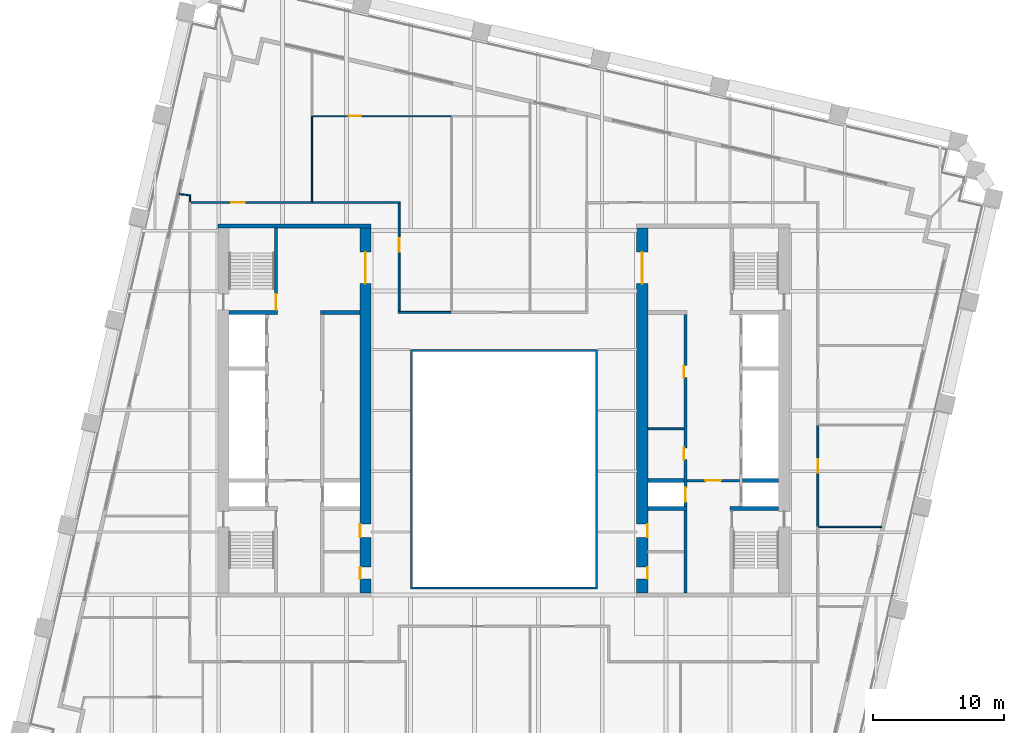
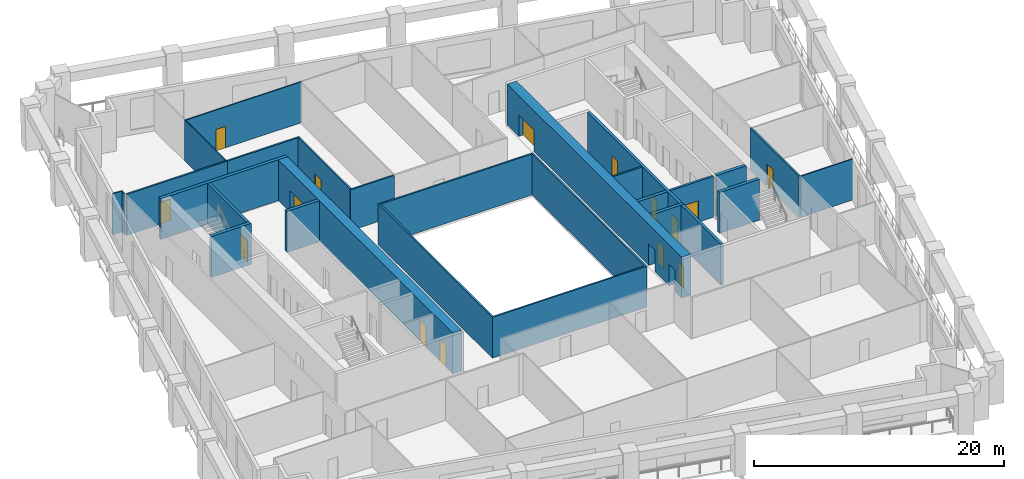
# One storey, part 6 of 10: 24 walls, 15 doors, 15 openings.
"""IFC4 building model written with IfcOpenShell, lengths in metres."""

from ifc_helpers import new_model, si_unit, direction, frame, frame_2d, origin, place, context, subcontext, project, spatial, polyline, rectangle, outline, extrude, material, layer, layer_set, type_object, element, fill, save


model = new_model("IFC4")

# Units and contexts
model_context = context("Model", 3, precision=1e-05, world=origin(), true_north=direction((0.0, 1.0)))
body_context = subcontext(model_context, "Body", "Model", "MODEL_VIEW")
ifc_project = project(units=[si_unit("LENGTHUNIT", "METRE"), si_unit("AREAUNIT", "SQUARE_METRE"), si_unit("VOLUMEUNIT", "CUBIC_METRE"), si_unit("PLANEANGLEUNIT", "RADIAN"), si_unit("MASSUNIT", "GRAM", prefix="KILO")], contexts=[model_context])

# Site, building, storey
site_placement = place(None, origin())
site = spatial("IfcSite", under=ifc_project, at=site_placement, CompositionType="ELEMENT")
building_placement = place(site_placement, origin())
building = spatial("IfcBuilding", under=site, at=building_placement, Name="Ogive Exchange Tower", CompositionType="ELEMENT")
storey_placement = place(building_placement, frame((0.0, 0.0, 118.199951171875)))
storey = spatial("IfcBuildingStorey", under=building, at=storey_placement, Name="L25", CompositionType="ELEMENT", Elevation=118.199951171875)

# Walls
ifc_material_1 = material(Name="Gypsum board partition")
ifc_layer_1 = layer(ifc_material_1, 0.14990234375)
ifc_layer_set_1 = layer_set([ifc_layer_1], Name="Core room partition 150 gypsum")
wall_type_1 = type_object("IfcWallType", Name="Core room partition 150 gypsum", PredefinedType="PARTITIONING", material=ifc_layer_set_1)
wall_1_placement = place(storey_placement, frame((11.0, 10.10009765625, 0.0), z_axis=(0.0, 0.0, 1.0), x_axis=(1.0, 0.0, 0.0)))
element("IfcWall", 1, at=wall_1_placement, inside=storey, type_object=wall_type_1, Name="E row B bay partition 1-1", PredefinedType="PARTITIONING", context=body_context, shape_type="SweptSolid", body=[
    extrude(rectangle(XDim=2.75, YDim=0.14990234375, at=frame_2d((1.375, 0.0))), origin(), (0.0, 0.0, 1.0), 4.0),
])
ifc_layer_2 = layer(ifc_material_1, 0.300048828125)
ifc_layer_set_2 = layer_set([ifc_layer_2], Name="Core room partition 300 gypsum")
wall_type_2 = type_object("IfcWallType", Name="Core room partition 300 gypsum", PredefinedType="PARTITIONING", material=ifc_layer_set_2)
wall_2_placement = place(storey_placement, frame((-14.0, 19.0, 0.0), z_axis=(0.0, 0.0, 1.0), x_axis=(1.0, 0.0, 0.0)))
element("IfcWall", 2, at=wall_2_placement, inside=storey, type_object=wall_type_2, Name="W row B room end wall 7", PredefinedType="PARTITIONING", context=body_context, shape_type="SweptSolid", body=[
    extrude(rectangle(XDim=3.0, YDim=0.300048828125, at=frame_2d((1.5, 0.0))), origin(), (0.0, 0.0, 1.0), 4.0),
])

# Wall, opening, door
ifc_material_2 = material(Name="Fire partition EI 60 150")
ifc_layer_3 = layer(ifc_material_2, 0.14990234375)
ifc_layer_set_3 = layer_set([ifc_layer_3], Name="Fire partition EI 60 150")
wall_type_3 = type_object("IfcWallType", Name="Fire partition EI 60 150", PredefinedType="PARTITIONING", material=ifc_layer_set_3)
wall_3_placement = place(storey_placement, frame((-23.9150390625, 27.39990234375, 0.0), z_axis=(0.0, 0.0, 1.0), x_axis=(1.0, 0.0, 0.0)))
wall_3 = element("IfcWall", 3, at=wall_3_placement, inside=storey, type_object=wall_type_3, Name="L25-PWL-009", PredefinedType="PARTITIONING", context=body_context, shape_type="SweptSolid", body=[
    extrude(rectangle(XDim=9.294921875, YDim=0.14990234375, at=frame_2d((4.6474609375, 0.0))), origin(), (0.0, 0.0, 1.0), 4.0),
])
opening_1_placement = place(wall_3_placement, frame((3.094970703125, 0.0, 0.0)))
opening_1 = element("IfcOpeningElement", 4, at=opening_1_placement, cuts=wall_3, Name="Opening L25-I18", PredefinedType="OPENING", context=body_context, shape_type="SweptSolid", body=[
    extrude(rectangle(XDim=1.0, YDim=2.10009765625, at=frame_2d((0.5, 1.050048828125))), frame((0.0, 0.0849609375, 0.0), z_axis=(0.0, -1.0, 0.0), x_axis=(1.0, 0.0, 0.0)), (0.0, 0.0, 1.0), 0.169921875),
])
ifc_material_3 = material(Name="Fire door FD 30S 1000 x 2100")
door_type_1 = type_object("IfcDoorType", Name="Fire door FD 30S 1000 x 2100", OperationType="NOTDEFINED", PredefinedType="DOOR", material=ifc_material_3)
door_1_placement = place(opening_1_placement, origin())
door_1 = element("IfcDoor", 5, at=door_1_placement, inside=storey, type_object=door_type_1, Name="L25-IDR-018", ObjectType="DT3", OperationType="SINGLE_SWING_RIGHT", OverallHeight=2.10009765625, OverallWidth=1.0, PredefinedType="DOOR", context=body_context, shape_type="SweptSolid", body=[
    extrude(rectangle(XDim=1.0, YDim=2.10009765625, at=frame_2d((0.5, 1.050048828125))), frame((0.0, 0.02490234375, 0.0), z_axis=(0.0, -1.0, 0.0), x_axis=(1.0, 0.0, 0.0)), (0.0, 0.0, 1.0), 0.050048828125),
])
fill(opening_1, door_1)

# Walls
wall_4_placement = place(storey_placement, frame((-14.6201171875, 27.39990234375, 0.0), z_axis=(0.0, 0.0, 1.0), x_axis=(1.0, 0.0, 0.0)))
element("IfcWall", 6, at=wall_4_placement, inside=storey, type_object=wall_type_3, Name="L25-PWL-019", PredefinedType="PARTITIONING", context=body_context, shape_type="SweptSolid", body=[
    extrude(rectangle(XDim=6.695068359375, YDim=0.14990234375, at=frame_2d((3.34765625, 0.0))), origin(), (0.0, 0.0, 1.0), 4.0),
])
wall_5_placement = place(storey_placement, frame((-8.074951171875, 19.0, 0.0), z_axis=(0.0, 0.0, 1.0), x_axis=(1.0, 0.0, 0.0)))
element("IfcWall", 7, at=wall_5_placement, inside=storey, type_object=wall_type_3, Name="L25-PWL-022", PredefinedType="PARTITIONING", context=body_context, shape_type="SweptSolid", body=[
    extrude(rectangle(XDim=4.02490234375, YDim=0.14990234375, at=frame_2d((2.012451171875, 0.0))), origin(), (0.0, 0.0, 1.0), 4.0),
])

# Wall, opening, door
wall_6_placement = place(storey_placement, frame((-8.0, 27.324951171875, 0.0), z_axis=(0.0, 0.0, 1.0), x_axis=(0.0, -1.0, 0.0)))
wall_6 = element("IfcWall", 8, at=wall_6_placement, inside=storey, type_object=wall_type_3, Name="L25-PWL-023", PredefinedType="PARTITIONING", context=body_context, shape_type="SweptSolid", body=[
    extrude(rectangle(XDim=8.25, YDim=0.14990234375, at=frame_2d((4.125, 0.0))), origin(), (0.0, 0.0, 1.0), 4.0),
])
opening_2_placement = place(wall_6_placement, frame((2.675048828125, 0.0, 0.0)))
opening_2 = element("IfcOpeningElement", 9, at=opening_2_placement, cuts=wall_6, Name="Opening L25-I10", PredefinedType="OPENING", context=body_context, shape_type="SweptSolid", body=[
    extrude(rectangle(XDim=1.0, YDim=2.10009765625, at=frame_2d((0.5, 1.050048828125))), frame((0.0, 0.0849609375, 0.0), z_axis=(0.0, -1.0, 0.0), x_axis=(1.0, 0.0, 0.0)), (0.0, 0.0, 1.0), 0.169921875),
])
door_2_placement = place(opening_2_placement, origin())
door_2 = element("IfcDoor", 10, at=door_2_placement, inside=storey, type_object=door_type_1, Name="L25-IDR-010", ObjectType="DT3", OperationType="SINGLE_SWING_LEFT", OverallHeight=2.10009765625, OverallWidth=1.0, PredefinedType="DOOR", context=body_context, shape_type="SweptSolid", body=[
    extrude(rectangle(XDim=1.0, YDim=2.10009765625, at=frame_2d((0.5, 1.050048828125))), frame((0.0, 0.02490234375, 0.0), z_axis=(0.0, -1.0, 0.0), x_axis=(1.0, 0.0, 0.0)), (0.0, 0.0, 1.0), 0.050048828125),
])
fill(opening_2, door_2)

wall_7_placement = place(storey_placement, frame((24.0, 10.43994140625, 0.0), z_axis=(0.0, 0.0, 1.0), x_axis=(0.0, -1.0, 0.0)))
wall_7 = element("IfcWall", 11, at=wall_7_placement, inside=storey, type_object=wall_type_3, Name="L25-PWL-061", PredefinedType="PARTITIONING", context=body_context, shape_type="SweptSolid", body=[
    extrude(rectangle(XDim=7.829833984375, YDim=0.14990234375, at=frame_2d((3.9150390625, 0.0))), origin(), (0.0, 0.0, 1.0), 4.0),
])
opening_3_placement = place(wall_7_placement, frame((2.679931640625, 0.0, 0.0)))
opening_3 = element("IfcOpeningElement", 12, at=opening_3_placement, cuts=wall_7, Name="Opening L25-I13", PredefinedType="OPENING", context=body_context, shape_type="SweptSolid", body=[
    extrude(rectangle(XDim=1.0, YDim=2.10009765625, at=frame_2d((0.5, 1.050048828125))), frame((0.0, 0.0849609375, 0.0), z_axis=(0.0, -1.0, 0.0), x_axis=(1.0, 0.0, 0.0)), (0.0, 0.0, 1.0), 0.169921875),
])
door_3_placement = place(opening_3_placement, origin())
door_3 = element("IfcDoor", 13, at=door_3_placement, inside=storey, type_object=door_type_1, Name="L25-IDR-013", ObjectType="DT3", OperationType="SINGLE_SWING_RIGHT", OverallHeight=2.10009765625, OverallWidth=1.0, PredefinedType="DOOR", context=body_context, shape_type="SweptSolid", body=[
    extrude(rectangle(XDim=1.0, YDim=2.10009765625, at=frame_2d((0.5, 1.050048828125))), frame((0.0, 0.02490234375, 0.0), z_axis=(0.0, -1.0, 0.0), x_axis=(1.0, 0.0, 0.0)), (0.0, 0.0, 1.0), 0.050048828125),
])
fill(opening_3, door_3)

# Walls
ifc_material_4 = material(Name="Fire-resisting glass in steel frame", Category="steel")
ifc_layer_4 = layer(ifc_material_4, 0.14990234375)
ifc_layer_set_4 = layer_set([ifc_layer_4], Name="Fire-rated glazed wall 150")
wall_type_4 = type_object("IfcWallType", Name="Fire-rated glazed wall 150", PredefinedType="STANDARD", material=ifc_layer_set_4)
wall_8_placement = place(storey_placement, origin())
element("IfcWall", 14, at=wall_8_placement, inside=storey, type_object=wall_type_4, Name="Nave enclosure wall", PredefinedType="STANDARD", context=body_context, shape_type="SweptSolid", body=[
    extrude(outline(polyline([(-7.14990234375, -2.14990234375), (7.14990234375, -2.14990234375), (7.14990234375, 16.14990234375), (-7.14990234375, 16.14990234375), (-7.14990234375, -2.14990234375)]), holes=[polyline([(-7.0, -2.0), (-7.0, 16.0), (7.0, 16.0), (7.0, -2.0), (-7.0, -2.0)])]), origin(), (0.0, 0.0, 1.0), 4.0),
])
ifc_material_5 = material(Name="Partition 100 gypsum")
ifc_layer_5 = layer(ifc_material_5, 0.10009765625)
ifc_layer_set_5 = layer_set([ifc_layer_5], Name="Partition 100 gypsum")
wall_type_5 = type_object("IfcWallType", Name="Partition 100 gypsum", PredefinedType="PARTITIONING", material=ifc_layer_set_5)
wall_9_placement = place(storey_placement, frame((-24.820068359375, 28.044921875, 0.0), z_axis=(0.0, 0.0, 1.0), x_axis=(0.993501545499, -0.113818623659, 0.0)))
element("IfcWall", 15, at=wall_9_placement, inside=storey, type_object=wall_type_5, Name="L25-PWL-002", PredefinedType="PARTITIONING", context=body_context, shape_type="SweptSolid", body=[
    extrude(rectangle(XDim=0.885986328125, YDim=0.10009765625, at=frame_2d((0.44287109375, 0.0))), origin(), (0.0, 0.0, 1.0), 4.0),
])
wall_10_placement = place(storey_placement, frame((-23.989990234375, 27.47509765625, 0.0), z_axis=(0.0, 0.0, 1.0), x_axis=(0.0, 1.0, 0.0)))
element("IfcWall", 16, at=wall_10_placement, inside=storey, type_object=wall_type_5, Name="L25-PWL-008", PredefinedType="PARTITIONING", context=body_context, shape_type="SweptSolid", body=[
    extrude(rectangle(XDim=0.4248046875, YDim=0.10009765625, at=frame_2d((0.21240234375, 0.0))), origin(), (0.0, 0.0, 1.0), 4.0),
])
wall_11_placement = place(storey_placement, frame((-14.669921875, 27.47509765625, 0.0), z_axis=(0.0, 0.0, 1.0), x_axis=(0.0, 1.0, 0.0)))
element("IfcWall", 17, at=wall_11_placement, inside=storey, type_object=wall_type_5, Name="L25-PWL-018", PredefinedType="PARTITIONING", context=body_context, shape_type="SweptSolid", body=[
    extrude(rectangle(XDim=6.574951171875, YDim=0.10009765625, at=frame_2d((3.28759765625, 0.0))), origin(), (0.0, 0.0, 1.0), 4.0),
])

# Wall, opening, door
wall_12_placement = place(storey_placement, frame((-3.949951171875, 34.0, 0.0), z_axis=(0.0, 0.0, 1.0), x_axis=(-1.0, 0.0, 0.0)))
wall_12 = element("IfcWall", 18, at=wall_12_placement, inside=storey, type_object=wall_type_5, Name="L25-PWL-029", PredefinedType="PARTITIONING", context=body_context, shape_type="SweptSolid", body=[
    extrude(rectangle(XDim=10.670166015625, YDim=0.10009765625, at=frame_2d((5.3349609375, 0.0))), origin(), (0.0, 0.0, 1.0), 4.0),
])
opening_4_placement = place(wall_12_placement, frame((7.0, 0.0, 0.0)))
opening_4 = element("IfcOpeningElement", 19, at=opening_4_placement, cuts=wall_12, Name="Opening L25-I09", PredefinedType="OPENING", context=body_context, shape_type="SweptSolid", body=[
    extrude(rectangle(XDim=0.89990234375, YDim=2.10009765625, at=frame_2d((0.449951171875, 1.050048828125))), frame((0.0, 0.06005859375, 0.0), z_axis=(0.0, -1.0, 0.0), x_axis=(1.0, 0.0, 0.0)), (0.0, 0.0, 1.0), 0.1201171875),
])
ifc_material_6 = material(Name="Door 900 x 2100")
door_type_2 = type_object("IfcDoorType", Name="Door 900 x 2100", OperationType="NOTDEFINED", PredefinedType="DOOR", material=ifc_material_6)
door_4_placement = place(opening_4_placement, frame((0.89990234375, 0.0, 0.0), z_axis=(0.0, 0.0, 1.0), x_axis=(-1.0, 0.0, 0.0)))
door_4 = element("IfcDoor", 20, at=door_4_placement, inside=storey, type_object=door_type_2, Name="L25-IDR-009", ObjectType="DT1", OperationType="SINGLE_SWING_RIGHT", OverallHeight=2.10009765625, OverallWidth=0.89990234375, PredefinedType="DOOR", context=body_context, shape_type="SweptSolid", body=[
    extrude(rectangle(XDim=0.89990234375, YDim=2.10009765625, at=frame_2d((0.449951171875, 1.050048828125))), frame((0.0, 0.02490234375, 0.0), z_axis=(0.0, -1.0, 0.0), x_axis=(1.0, 0.0, 0.0)), (0.0, 0.0, 1.0), 0.050048828125),
])
fill(opening_4, door_4)

# Wall
wall_13_placement = place(storey_placement, frame((24.074951171875, 2.610107421875, 0.0), z_axis=(0.0, 0.0, 1.0), x_axis=(1.0, 0.0, 0.0)))
element("IfcWall", 21, at=wall_13_placement, inside=storey, type_object=wall_type_5, Name="L25-PWL-060", PredefinedType="PARTITIONING", context=body_context, shape_type="SweptSolid", body=[
    extrude(rectangle(XDim=4.821044921875, YDim=0.10009765625, at=frame_2d((2.41064453125, 0.0))), origin(), (0.0, 0.0, 1.0), 4.0),
])

# Wall, opening, door
ifc_material_7 = material(Name="Concrete C70/85", Category="concrete")
ifc_layer_6 = layer(ifc_material_7, 0.199951171875)
ifc_layer_set_6 = layer_set([ifc_layer_6], Name="RC core wall 200 C70/85")
wall_type_6 = type_object("IfcWallType", Name="RC core wall 200 C70/85", PredefinedType="SHEAR", material=ifc_layer_set_6)
wall_14_placement = place(storey_placement, frame((14.0, 6.142822265625, 0.0), z_axis=(0.0, 0.0, 1.0), x_axis=(1.0, 0.0, 0.0)))
wall_14 = element("IfcWall", 22, at=wall_14_placement, inside=storey, type_object=wall_type_6, Name="E firefighting lobby wall", PredefinedType="SHEAR", context=body_context, shape_type="SweptSolid", body=[
    extrude(rectangle(XDim=4.0, YDim=0.199951171875, at=frame_2d((2.0, 0.0))), origin(), (0.0, 0.0, 1.0), 4.0),
])
opening_5_placement = place(wall_14_placement, frame((1.39990234375, 0.0, 0.0)))
opening_5 = element("IfcOpeningElement", 23, at=opening_5_placement, cuts=wall_14, Name="Opening L25-C28", PredefinedType="OPENING", context=body_context, shape_type="SweptSolid", body=[
    extrude(rectangle(XDim=1.199951171875, YDim=2.10009765625, at=frame_2d((0.60009765625, 1.050048828125))), frame((0.0, 0.10986328125, 0.0), z_axis=(0.0, -1.0, 0.0), x_axis=(1.0, 0.0, 0.0)), (0.0, 0.0, 1.0), 0.219970703125),
])
ifc_material_8 = material(Name="Steel fire door", Category="steel")
door_type_3 = type_object("IfcDoorType", Name="Firefighting lobby door FD60 1200 x 2100", OperationType="NOTDEFINED", PredefinedType="DOOR", material=ifc_material_8)
door_5_placement = place(opening_5_placement, frame((1.199951171875, 0.0, 0.0), z_axis=(0.0, 0.0, 1.0), x_axis=(-1.0, 0.0, 0.0)))
door_5 = element("IfcDoor", 24, at=door_5_placement, inside=storey, type_object=door_type_3, Name="Firefighting lobby door", ObjectType="CD3", OperationType="SINGLE_SWING_LEFT", OverallHeight=2.10009765625, OverallWidth=1.199951171875, PredefinedType="DOOR", context=body_context, shape_type="SweptSolid", body=[
    extrude(rectangle(XDim=1.199951171875, YDim=2.10009765625, at=frame_2d((0.60009765625, 1.050048828125))), frame((0.0, 0.02490234375, 0.0), z_axis=(0.0, -1.0, 0.0), x_axis=(1.0, 0.0, 0.0)), (0.0, 0.0, 1.0), 0.050048828125),
])
fill(opening_5, door_5)

ifc_layer_7 = layer(ifc_material_7, 0.25)
ifc_layer_set_7 = layer_set([ifc_layer_7], Name="RC core wall 250 C70/85")
wall_type_7 = type_object("IfcWallType", Name="RC core wall 250 C70/85", PredefinedType="SHEAR", material=ifc_layer_set_7)
wall_15_placement = place(storey_placement, frame((-17.425048828125, 19.14990234375, 0.0), z_axis=(0.0, 0.0, 1.0), x_axis=(0.0, 1.0, 0.0)))
wall_15 = element("IfcWall", 25, at=wall_15_placement, inside=storey, type_object=wall_type_7, Name="W stair N front wall", PredefinedType="SHEAR", context=body_context, shape_type="SweptSolid", body=[
    extrude(rectangle(XDim=6.300048828125, YDim=0.25, at=frame_2d((3.14990234375, 0.0))), origin(), (0.0, 0.0, 1.0), 4.0),
])
opening_6_placement = place(wall_15_placement, frame((0.050048828125, 0.0, 0.0)))
opening_6 = element("IfcOpeningElement", 26, at=opening_6_placement, cuts=wall_15, Name="Opening L25-C14", PredefinedType="OPENING", context=body_context, shape_type="SweptSolid", body=[
    extrude(rectangle(XDim=1.199951171875, YDim=2.10009765625, at=frame_2d((0.60009765625, 1.050048828125))), frame((0.0, 0.135009765625, 0.0), z_axis=(0.0, -1.0, 0.0), x_axis=(1.0, 0.0, 0.0)), (0.0, 0.0, 1.0), 0.27001953125),
])
door_type_4 = type_object("IfcDoorType", Name="Stair door FD90 1200 x 2100", OperationType="NOTDEFINED", PredefinedType="DOOR", material=ifc_material_8)
door_6_placement = place(opening_6_placement, origin())
door_6 = element("IfcDoor", 27, at=door_6_placement, inside=storey, type_object=door_type_4, Name="Stair door", ObjectType="CD5", OperationType="SINGLE_SWING_RIGHT", OverallHeight=2.10009765625, OverallWidth=1.199951171875, PredefinedType="DOOR", context=body_context, shape_type="SweptSolid", body=[
    extrude(rectangle(XDim=1.199951171875, YDim=2.10009765625, at=frame_2d((0.60009765625, 1.050048828125))), frame((0.0, 0.02490234375, 0.0), z_axis=(0.0, -1.0, 0.0), x_axis=(1.0, 0.0, 0.0)), (0.0, 0.0, 1.0), 0.050048828125),
])
fill(opening_6, door_6)

# Wall, openings, doors
wall_16_placement = place(storey_placement, frame((13.875, -2.449951171875, 0.0), z_axis=(0.0, 0.0, 1.0), x_axis=(0.0, 1.0, 0.0)))
wall_16 = element("IfcWall", 28, at=wall_16_placement, inside=storey, type_object=wall_type_7, Name="E row B front wall", PredefinedType="SHEAR", context=body_context, shape_type="SweptSolid", body=[
    extrude(rectangle(XDim=21.300048828125, YDim=0.25, at=frame_2d((10.64990234375, 0.0))), origin(), (0.0, 0.0, 1.0), 4.0),
])
opening_7_placement = place(wall_16_placement, frame((10.1962890625, 0.0, 0.0)))
opening_7 = element("IfcOpeningElement", 29, at=opening_7_placement, cuts=wall_16, Name="Opening L25-C25", PredefinedType="OPENING", context=body_context, shape_type="SweptSolid", body=[
    extrude(rectangle(XDim=0.89990234375, YDim=2.10009765625, at=frame_2d((0.449951171875, 1.050048828125))), frame((0.0, 0.135009765625, 0.0), z_axis=(0.0, -1.0, 0.0), x_axis=(1.0, 0.0, 0.0)), (0.0, 0.0, 1.0), 0.27001953125),
])
opening_8_placement = place(wall_16_placement, frame((16.47509765625, 0.0, 0.0)))
opening_8 = element("IfcOpeningElement", 30, at=opening_8_placement, cuts=wall_16, Name="Opening L25-C26", PredefinedType="OPENING", context=body_context, shape_type="SweptSolid", body=[
    extrude(rectangle(XDim=0.89990234375, YDim=2.10009765625, at=frame_2d((0.449951171875, 1.050048828125))), frame((0.0, 0.135009765625, 0.0), z_axis=(0.0, -1.0, 0.0), x_axis=(1.0, 0.0, 0.0)), (0.0, 0.0, 1.0), 0.27001953125),
])
opening_9_placement = place(wall_16_placement, frame((6.971435546875, 0.0, 0.0)))
opening_9 = element("IfcOpeningElement", 31, at=opening_9_placement, cuts=wall_16, Name="Opening L25-C27", PredefinedType="OPENING", context=body_context, shape_type="SweptSolid", body=[
    extrude(rectangle(XDim=1.10009765625, YDim=2.10009765625, at=frame_2d((0.550048828125, 1.050048828125))), frame((0.0, 0.135009765625, 0.0), z_axis=(0.0, -1.0, 0.0), x_axis=(1.0, 0.0, 0.0)), (0.0, 0.0, 1.0), 0.27001953125),
])
ifc_material_9 = material(Name="Stainless steel", Category="steel")
door_type_5 = type_object("IfcDoorType", Name="Lift landing door FD90 1100 x 2100", OperationType="SLIDING_TO_LEFT", PredefinedType="DOOR", material=ifc_material_9)
door_7_placement = place(opening_9_placement, origin())
door_7 = element("IfcDoor", 32, at=door_7_placement, inside=storey, type_object=door_type_5, Name="Lift landing door SV2", ObjectType="LD", OperationType="SLIDING_TO_LEFT", OverallHeight=2.10009765625, OverallWidth=1.10009765625, PredefinedType="DOOR", context=body_context, shape_type="SweptSolid", body=[
    extrude(rectangle(XDim=1.10009765625, YDim=2.10009765625, at=frame_2d((0.550048828125, 1.050048828125))), frame((0.0, 0.02490234375, 0.0), z_axis=(0.0, -1.0, 0.0), x_axis=(1.0, 0.0, 0.0)), (0.0, 0.0, 1.0), 0.050048828125),
])
fill(opening_9, door_7)
door_type_6 = type_object("IfcDoorType", Name="Riser door FD60 900 x 2100", OperationType="NOTDEFINED", PredefinedType="DOOR", material=ifc_material_8)
door_8_placement = place(opening_7_placement, origin())
door_8 = element("IfcDoor", 33, at=door_8_placement, inside=storey, type_object=door_type_6, Name="Riser door", ObjectType="CD2", OperationType="SINGLE_SWING_LEFT", OverallHeight=2.10009765625, OverallWidth=0.89990234375, PredefinedType="DOOR", context=body_context, shape_type="SweptSolid", body=[
    extrude(rectangle(XDim=0.89990234375, YDim=2.10009765625, at=frame_2d((0.449951171875, 1.050048828125))), frame((0.0, 0.125, 0.0), z_axis=(0.0, -1.0, 0.0), x_axis=(1.0, 0.0, 0.0)), (0.0, 0.0, 1.0), 0.050048828125),
])
fill(opening_7, door_8)
door_9_placement = place(opening_8_placement, origin())
door_9 = element("IfcDoor", 34, at=door_9_placement, inside=storey, type_object=door_type_6, Name="Riser door", ObjectType="CD2", OperationType="SINGLE_SWING_LEFT", OverallHeight=2.10009765625, OverallWidth=0.89990234375, PredefinedType="DOOR", context=body_context, shape_type="SweptSolid", body=[
    extrude(rectangle(XDim=0.89990234375, YDim=2.10009765625, at=frame_2d((0.449951171875, 1.050048828125))), frame((0.0, 0.125, 0.0), z_axis=(0.0, -1.0, 0.0), x_axis=(1.0, 0.0, 0.0)), (0.0, 0.0, 1.0), 0.050048828125),
])
fill(opening_8, door_9)

# Walls
ifc_layer_8 = layer(ifc_material_7, 0.300048828125)
ifc_layer_set_8 = layer_set([ifc_layer_8], Name="RC core wall 300 C70/85")
wall_type_8 = type_object("IfcWallType", Name="RC core wall 300 C70/85", PredefinedType="SHEAR", material=ifc_layer_set_8)
wall_17_placement = place(storey_placement, frame((-21.85009765625, 25.60009765625, 0.0), z_axis=(0.0, 0.0, 1.0), x_axis=(1.0, 0.0, 0.0)))
element("IfcWall", 35, at=wall_17_placement, inside=storey, type_object=wall_type_8, Name="W north end wall", PredefinedType="SHEAR", context=body_context, shape_type="SweptSolid", body=[
    extrude(rectangle(XDim=11.7001953125, YDim=0.300048828125, at=frame_2d((5.85009765625, 0.0))), origin(), (0.0, 0.0, 1.0), 4.0),
])
for number, where, z_axis, x_axis, name in (
    (36, (-21.0, 19.0, 0.0), (0.0, 0.0, 1.0), (1.0, 0.0, 0.0), "W stair N south wall"),
    (37, (17.300048828125, 4.0, 0.0), (0.0, 0.0, 1.0), (1.0, 0.0, 0.0), "E stair S north wall"),
):
    element("IfcWall", number, at=place(storey_placement, frame(where, z_axis=z_axis, x_axis=x_axis)), inside=storey, type_object=wall_type_8, Name=name, PredefinedType="SHEAR", context=body_context, shape_type="SweptSolid", body=[
        extrude(rectangle(XDim=3.699951171875, YDim=0.300048828125, at=frame_2d((1.85009765625, 0.0))), origin(), (0.0, 0.0, 1.0), 4.0),
    ])
wall_18_placement = place(storey_placement, frame((18.25, 6.142822265625, 0.0), z_axis=(0.0, 0.0, 1.0), x_axis=(1.0, 0.0, 0.0)))
element("IfcWall", 38, at=wall_18_placement, inside=storey, type_object=wall_type_8, Name="E row A divider 1", PredefinedType="SHEAR", context=body_context, shape_type="SweptSolid", body=[
    extrude(rectangle(XDim=2.75, YDim=0.300048828125, at=frame_2d((1.375, 0.0))), origin(), (0.0, 0.0, 1.0), 4.0),
])
wall_19_placement = place(storey_placement, frame((11.0, 4.0, 0.0), z_axis=(0.0, 0.0, 1.0), x_axis=(1.0, 0.0, 0.0)))
element("IfcWall", 39, at=wall_19_placement, inside=storey, type_object=wall_type_8, Name="E row B divider 0", PredefinedType="SHEAR", context=body_context, shape_type="SweptSolid", body=[
    extrude(rectangle(XDim=3.0, YDim=0.300048828125, at=frame_2d((1.5, 0.0))), origin(), (0.0, 0.0, 1.0), 4.0),
])
wall_20_placement = place(storey_placement, frame((11.0, 6.142822265625, 0.0), z_axis=(0.0, 0.0, 1.0), x_axis=(1.0, 0.0, 0.0)))
element("IfcWall", 40, at=wall_20_placement, inside=storey, type_object=wall_type_8, Name="E row B divider 1", PredefinedType="SHEAR", context=body_context, shape_type="SweptSolid", body=[
    extrude(rectangle(XDim=2.75, YDim=0.300048828125, at=frame_2d((1.375, 0.0))), origin(), (0.0, 0.0, 1.0), 4.0),
])

# Wall, openings, doors
ifc_layer_9 = layer(ifc_material_7, 0.85009765625)
ifc_layer_set_9 = layer_set([ifc_layer_9], Name="RC core wall 850 C70/85")
wall_type_9 = type_object("IfcWallType", Name="RC core wall 850 C70/85", PredefinedType="SHEAR", material=ifc_layer_set_9)
wall_21_placement = place(storey_placement, frame((-10.574951171875, -2.449951171875, 0.0), z_axis=(0.0, 0.0, 1.0), x_axis=(0.0, 1.0, 0.0)))
wall_21 = element("IfcWall", 41, at=wall_21_placement, inside=storey, type_object=wall_type_9, Name="W inner wall", PredefinedType="SHEAR", context=body_context, shape_type="SweptSolid", body=[
    extrude(rectangle(XDim=27.89990234375, YDim=0.85009765625, at=frame_2d((13.949951171875, 0.0))), origin(), (0.0, 0.0, 1.0), 4.0),
])
opening_10_placement = place(wall_21_placement, frame((23.64990234375, 0.0, 0.0)))
opening_10 = element("IfcOpeningElement", 42, at=opening_10_placement, cuts=wall_21, Name="Opening L25-C11", PredefinedType="OPENING", context=body_context, shape_type="SweptSolid", body=[
    extrude(rectangle(XDim=2.39990234375, YDim=2.10009765625, at=frame_2d((1.199951171875, 1.050048828125))), frame((0.0, 0.43505859375, 0.0), z_axis=(0.0, -1.0, 0.0), x_axis=(1.0, 0.0, 0.0)), (0.0, 0.0, 1.0), 0.8701171875),
])
opening_11_placement = place(wall_21_placement, frame((1.08740234375, 0.0, 0.0)))
opening_11 = element("IfcOpeningElement", 43, at=opening_11_placement, cuts=wall_21, Name="Opening L25-C16", PredefinedType="OPENING", context=body_context, shape_type="SweptSolid", body=[
    extrude(rectangle(XDim=0.89990234375, YDim=2.10009765625, at=frame_2d((0.449951171875, 1.050048828125))), frame((0.0, 0.43505859375, 0.0), z_axis=(0.0, -1.0, 0.0), x_axis=(1.0, 0.0, 0.0)), (0.0, 0.0, 1.0), 0.8701171875),
])
opening_12_placement = place(wall_21_placement, frame((4.262451171875, 0.0, 0.0)))
opening_12 = element("IfcOpeningElement", 44, at=opening_12_placement, cuts=wall_21, Name="Opening L25-C17", PredefinedType="OPENING", context=body_context, shape_type="SweptSolid", body=[
    extrude(rectangle(XDim=1.0, YDim=2.10009765625, at=frame_2d((0.5, 1.050048828125))), frame((0.0, 0.43505859375, 0.0), z_axis=(0.0, -1.0, 0.0), x_axis=(1.0, 0.0, 0.0)), (0.0, 0.0, 1.0), 0.8701171875),
])
ifc_material_10 = material(Name="Timber fire door", Category="wood")
door_type_7 = type_object("IfcDoorType", Name="Accessible WC door FD30S 1000 x 2100", OperationType="NOTDEFINED", PredefinedType="DOOR", material=ifc_material_10)
door_10_placement = place(opening_12_placement, origin())
door_10 = element("IfcDoor", 45, at=door_10_placement, inside=storey, type_object=door_type_7, Name="Accessible WC door", ObjectType="CD7", OperationType="SINGLE_SWING_RIGHT", OverallHeight=2.10009765625, OverallWidth=1.0, PredefinedType="DOOR", context=body_context, shape_type="SweptSolid", body=[
    extrude(rectangle(XDim=1.0, YDim=2.10009765625, at=frame_2d((0.5, 1.050048828125))), frame((0.0, 0.4248046875, 0.0), z_axis=(0.0, -1.0, 0.0), x_axis=(1.0, 0.0, 0.0)), (0.0, 0.0, 1.0), 0.050048828125),
])
fill(opening_12, door_10)
door_type_8 = type_object("IfcDoorType", Name="Core room door FD30S 900 x 2100", OperationType="NOTDEFINED", PredefinedType="DOOR", material=ifc_material_10)
door_11_placement = place(opening_11_placement, origin())
door_11 = element("IfcDoor", 46, at=door_11_placement, inside=storey, type_object=door_type_8, Name="Core room door", ObjectType="CD6", OperationType="SINGLE_SWING_RIGHT", OverallHeight=2.10009765625, OverallWidth=0.89990234375, PredefinedType="DOOR", context=body_context, shape_type="SweptSolid", body=[
    extrude(rectangle(XDim=0.89990234375, YDim=2.10009765625, at=frame_2d((0.449951171875, 1.050048828125))), frame((0.0, 0.4248046875, 0.0), z_axis=(0.0, -1.0, 0.0), x_axis=(1.0, 0.0, 0.0)), (0.0, 0.0, 1.0), 0.050048828125),
])
fill(opening_11, door_11)
ifc_material_11 = material(Name="Glazed steel fire door", Category="steel")
door_type_9 = type_object("IfcDoorType", Name="Lift lobby double door FD60 2400 x 2100", OperationType="DOUBLE_DOOR_SINGLE_SWING", PredefinedType="DOOR", material=ifc_material_11)
door_12_placement = place(opening_10_placement, origin())
door_12 = element("IfcDoor", 47, at=door_12_placement, inside=storey, type_object=door_type_9, Name="Lift lobby double door", ObjectType="CD4", OperationType="DOUBLE_DOOR_SINGLE_SWING", OverallHeight=2.10009765625, OverallWidth=2.39990234375, PredefinedType="DOOR", context=body_context, shape_type="SweptSolid", body=[
    extrude(rectangle(XDim=2.39990234375, YDim=2.10009765625, at=frame_2d((1.199951171875, 1.050048828125))), frame((0.0, 0.02490234375, 0.0), z_axis=(0.0, -1.0, 0.0), x_axis=(1.0, 0.0, 0.0)), (0.0, 0.0, 1.0), 0.050048828125),
])
fill(opening_10, door_12)

wall_22_placement = place(storey_placement, frame((10.574951171875, -2.449951171875, 0.0), z_axis=(0.0, 0.0, 1.0), x_axis=(0.0, 1.0, 0.0)))
wall_22 = element("IfcWall", 48, at=wall_22_placement, inside=storey, type_object=wall_type_9, Name="E inner wall", PredefinedType="SHEAR", context=body_context, shape_type="SweptSolid", body=[
    extrude(rectangle(XDim=27.89990234375, YDim=0.85009765625, at=frame_2d((13.949951171875, 0.0))), origin(), (0.0, 0.0, 1.0), 4.0),
])
opening_13_placement = place(wall_22_placement, frame((23.64990234375, 0.0, 0.0)))
opening_13 = element("IfcOpeningElement", 49, at=opening_13_placement, cuts=wall_22, Name="Opening L25-C29", PredefinedType="OPENING", context=body_context, shape_type="SweptSolid", body=[
    extrude(rectangle(XDim=2.39990234375, YDim=2.10009765625, at=frame_2d((1.199951171875, 1.050048828125))), frame((0.0, 0.43505859375, 0.0), z_axis=(0.0, -1.0, 0.0), x_axis=(1.0, 0.0, 0.0)), (0.0, 0.0, 1.0), 0.8701171875),
])
opening_14_placement = place(wall_22_placement, frame((1.08740234375, 0.0, 0.0)))
opening_14 = element("IfcOpeningElement", 50, at=opening_14_placement, cuts=wall_22, Name="Opening L25-C34", PredefinedType="OPENING", context=body_context, shape_type="SweptSolid", body=[
    extrude(rectangle(XDim=0.89990234375, YDim=2.10009765625, at=frame_2d((0.449951171875, 1.050048828125))), frame((0.0, 0.43505859375, 0.0), z_axis=(0.0, -1.0, 0.0), x_axis=(1.0, 0.0, 0.0)), (0.0, 0.0, 1.0), 0.8701171875),
])
opening_15_placement = place(wall_22_placement, frame((4.262451171875, 0.0, 0.0)))
opening_15 = element("IfcOpeningElement", 51, at=opening_15_placement, cuts=wall_22, Name="Opening L25-C35", PredefinedType="OPENING", context=body_context, shape_type="SweptSolid", body=[
    extrude(rectangle(XDim=1.0, YDim=2.10009765625, at=frame_2d((0.5, 1.050048828125))), frame((0.0, 0.43505859375, 0.0), z_axis=(0.0, -1.0, 0.0), x_axis=(1.0, 0.0, 0.0)), (0.0, 0.0, 1.0), 0.8701171875),
])
door_13_placement = place(opening_15_placement, frame((1.0, -0.7998046875, 0.0), z_axis=(0.0, 0.0, 1.0), x_axis=(-1.0, 0.0, 0.0)))
door_13 = element("IfcDoor", 52, at=door_13_placement, inside=storey, type_object=door_type_7, Name="Accessible WC door", ObjectType="CD7", OperationType="SINGLE_SWING_LEFT", OverallHeight=2.10009765625, OverallWidth=1.0, PredefinedType="DOOR", context=body_context, shape_type="SweptSolid", body=[
    extrude(rectangle(XDim=1.0, YDim=2.10009765625, at=frame_2d((0.5, 1.050048828125))), frame((0.0, -0.375, 0.0), z_axis=(0.0, -1.0, 0.0), x_axis=(1.0, 0.0, 0.0)), (0.0, 0.0, 1.0), 0.050048828125),
])
fill(opening_15, door_13)
door_14_placement = place(opening_14_placement, frame((0.89990234375, -0.7998046875, 0.0), z_axis=(0.0, 0.0, 1.0), x_axis=(-1.0, 0.0, 0.0)))
door_14 = element("IfcDoor", 53, at=door_14_placement, inside=storey, type_object=door_type_8, Name="Core room door", ObjectType="CD6", OperationType="SINGLE_SWING_LEFT", OverallHeight=2.10009765625, OverallWidth=0.89990234375, PredefinedType="DOOR", context=body_context, shape_type="SweptSolid", body=[
    extrude(rectangle(XDim=0.89990234375, YDim=2.10009765625, at=frame_2d((0.449951171875, 1.050048828125))), frame((0.0, -0.375, 0.0), z_axis=(0.0, -1.0, 0.0), x_axis=(1.0, 0.0, 0.0)), (0.0, 0.0, 1.0), 0.050048828125),
])
fill(opening_14, door_14)
door_15_placement = place(opening_13_placement, frame((2.39990234375, 0.0, 0.0), z_axis=(0.0, 0.0, 1.0), x_axis=(-1.0, 0.0, 0.0)))
door_15 = element("IfcDoor", 54, at=door_15_placement, inside=storey, type_object=door_type_9, Name="Lift lobby double door", ObjectType="CD4", OperationType="DOUBLE_DOOR_SINGLE_SWING", OverallHeight=2.10009765625, OverallWidth=2.39990234375, PredefinedType="DOOR", context=body_context, shape_type="SweptSolid", body=[
    extrude(rectangle(XDim=2.39990234375, YDim=2.10009765625, at=frame_2d((1.199951171875, 1.050048828125))), frame((0.0, 0.02490234375, 0.0), z_axis=(0.0, -1.0, 0.0), x_axis=(1.0, 0.0, 0.0)), (0.0, 0.0, 1.0), 0.050048828125),
])
fill(opening_13, door_15)

save(model, "model.ifc")
